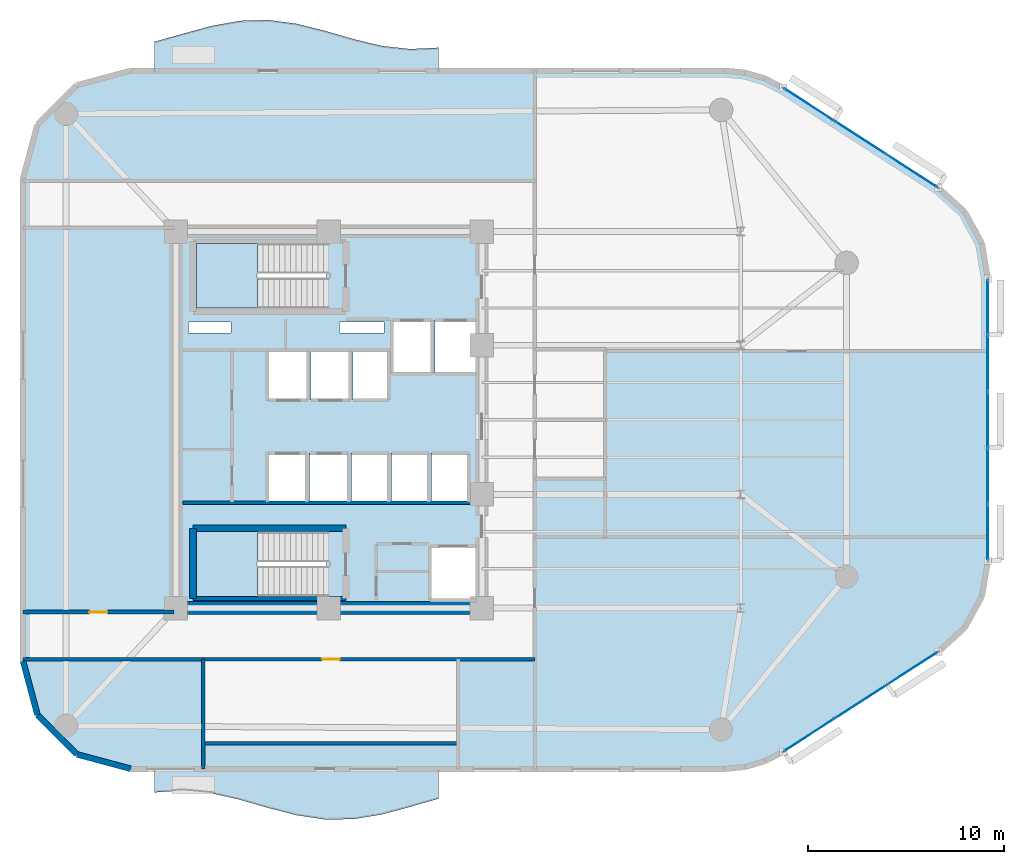
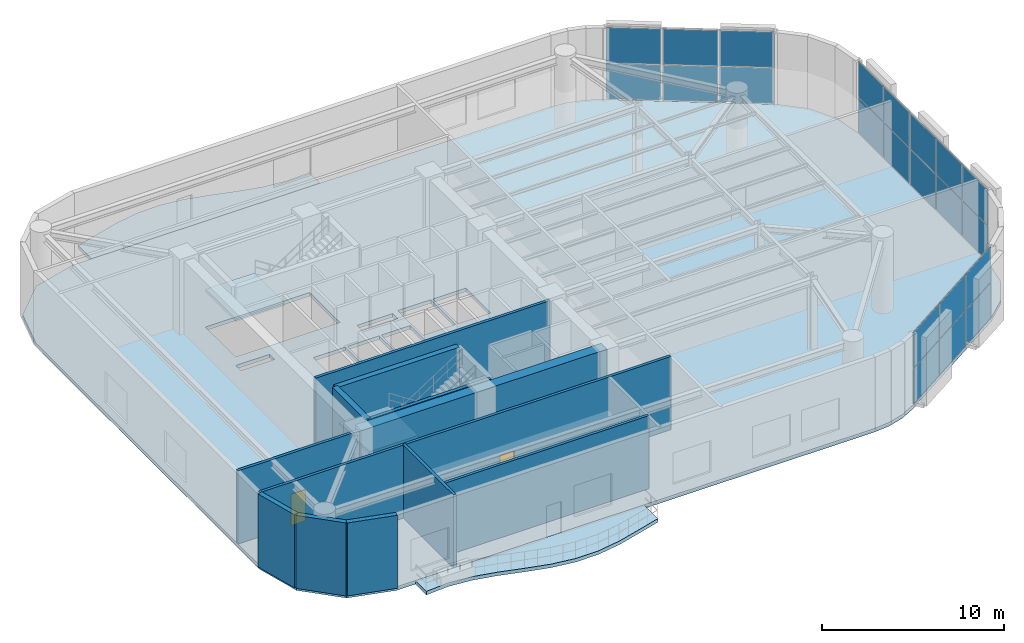
# One storey, part 7 of 12: 22 plates, 12 walls, 5 slabs, 2 doors, 2 openings, 5 elements without a shape of their own.
"""IFC4 building model written with IfcOpenShell, lengths in metres."""

import ifcopenshell
import ifcopenshell.guid

model = None  # the IFC model being written
_history = None  # IfcOwnerHistory: only IFC2X3 demands one
_inside = {}  # id of a spatial element -> (the spatial element, [elements in it])
_under = {}  # id of a project, library or spatial element -> (it, [spatial elements below it])
_declared = {}  # id of a project -> (the project, [libraries it declares])
_typed = {}  # id of a type object -> (the type object, [elements of that type])
_made_of = {}  # id of a material, layer set ... -> (it, [elements and type objects made of it])


def new_model(schema):
    """Start an empty IFC model of exactly this schema.

    Asked for "IFC4X3", IfcOpenShell would pick the latest addendum, in which some entities
    have other attributes; the version numbers below select the first issue.
    IFC2X3 requires an IfcOwnerHistory on every rooted entity: one is made here for all.
    """
    global model, _history
    if schema == "IFC4X3":
        model = ifcopenshell.file(schema_version=(4, 3, 0, 0))
    else:
        model = ifcopenshell.file(schema=schema)
    _inside.clear()
    _under.clear()
    _declared.clear()
    _typed.clear()
    _made_of.clear()
    _history = None
    if model.schema == "IFC2X3":
        org = make("IfcOrganization", Name="unknown")
        user = make(
            "IfcPersonAndOrganization",
            ThePerson=make("IfcPerson", FamilyName="unknown"),
            TheOrganization=org,
        )
        app = make(
            "IfcApplication",
            ApplicationDeveloper=org,
            Version="unknown",
            ApplicationFullName="unknown",
            ApplicationIdentifier="unknown",
        )
        _history = make(
            "IfcOwnerHistory",
            OwningUser=user,
            OwningApplication=app,
            ChangeAction="ADDED",
            CreationDate=0,
        )
    return model


def make(cls, **values):
    """One entity of the class cls with the attributes given. An attribute that is None is left unset."""
    return model.create_entity(
        cls, **{name: value for name, value in values.items() if value is not None}
    )


def rooted(cls, **values):
    """An entity with a GlobalId (a new one), such as an element, a storey or a relation."""
    return make(cls, GlobalId=ifcopenshell.guid.new(), OwnerHistory=_history, **values)


def si_unit(unit_type, name, prefix=None):
    """IfcSIUnit, for example si_unit("LENGTHUNIT", "METRE", prefix="MILLI")."""
    return make("IfcSIUnit", UnitType=unit_type, Prefix=prefix, Name=name)


def assignment(units):
    """IfcUnitAssignment: the units of a project."""
    return None if units is None else make("IfcUnitAssignment", Units=units)


def point(xyz):
    """IfcCartesianPoint."""
    return None if xyz is None else make("IfcCartesianPoint", Coordinates=xyz)


def direction(xyz):
    """IfcDirection."""
    return None if xyz is None else make("IfcDirection", DirectionRatios=xyz)


def frame(location, z_axis=None, x_axis=None):
    """IfcAxis2Placement3D, a coordinate frame: its origin and axes. An axis left out is left unset."""
    return make(
        "IfcAxis2Placement3D",
        Location=point(location),
        Axis=direction(z_axis),
        RefDirection=direction(x_axis),
    )


def frame_2d(location, x_axis=None):
    """IfcAxis2Placement2D, a coordinate frame in the plane: its origin and x axis."""
    return make(
        "IfcAxis2Placement2D", Location=point(location), RefDirection=direction(x_axis)
    )


def origin():
    """The frame at (0, 0, 0) with its axes left unset."""
    return frame((0.0, 0.0, 0.0))


def origin_2d():
    """The frame at (0, 0) in the plane with its x axis left unset."""
    return frame_2d((0.0, 0.0))


def place(relative_to, where):
    """IfcLocalPlacement: puts the frame where relative to a parent placement (None: the world)."""
    return make(
        "IfcLocalPlacement", PlacementRelTo=relative_to, RelativePlacement=where
    )


def context(
    kind, dimensions, precision=None, world=None, true_north=None, identifier=None
):
    """IfcGeometricRepresentationContext, for example the 3D "Model" context."""
    return make(
        "IfcGeometricRepresentationContext",
        ContextIdentifier=identifier,
        ContextType=kind,
        CoordinateSpaceDimension=dimensions,
        Precision=precision,
        WorldCoordinateSystem=world,
        TrueNorth=true_north,
    )


def subcontext(parent, identifier, kind, view, scale=None):
    """IfcGeometricRepresentationSubContext, for example "Body" below "Model"."""
    return make(
        "IfcGeometricRepresentationSubContext",
        ContextIdentifier=identifier,
        ContextType=kind,
        ParentContext=parent,
        TargetScale=scale,
        TargetView=view,
    )


def project(units=None, contexts=None):
    """IfcProject with its units and contexts."""
    return rooted(
        "IfcProject",
        Name="project",
        RepresentationContexts=contexts,
        UnitsInContext=assignment(units),
    )


def spatial(cls, under=None, at=None, **own):
    """A site, building, storey or space (cls), placed at a placement, below another one or the project."""
    s = rooted(cls, ObjectPlacement=at, **own)
    if under is not None:
        _under.setdefault(under.id(), (under, []))[1].append(s)
    return s


def polyline(points):
    """IfcPolyline through the points."""
    return make("IfcPolyline", Points=[point(p) for p in points])


def profile(cls, at=None, kind="AREA", **sizes):
    """A parametric profile (cls). Its sizes go by their IFC names, for example OverallWidth=200.0."""
    return make(cls, ProfileType=kind, Position=at, **sizes)


def rectangle(**sizes):
    """IfcRectangleProfileDef."""
    return profile("IfcRectangleProfileDef", **sizes)


def outline(outer, holes=None, kind="AREA"):
    """IfcArbitraryClosedProfileDef: a profile drawn as a closed curve; with holes, ...WithVoids."""
    if holes is None:
        return make("IfcArbitraryClosedProfileDef", ProfileType=kind, OuterCurve=outer)
    return make(
        "IfcArbitraryProfileDefWithVoids",
        ProfileType=kind,
        OuterCurve=outer,
        InnerCurves=holes,
    )


def extrude(swept, where, along, depth):
    """IfcExtrudedAreaSolid: the profile swept, set in the frame where, extruded along a direction by depth."""
    return make(
        "IfcExtrudedAreaSolid",
        SweptArea=swept,
        Position=where,
        ExtrudedDirection=direction(along),
        Depth=depth,
    )


def shape(context_of_items, identifier, shape_type, items):
    """IfcShapeRepresentation: the items that make up one representation, for example the "Body"."""
    return make(
        "IfcShapeRepresentation",
        ContextOfItems=context_of_items,
        RepresentationIdentifier=identifier,
        RepresentationType=shape_type,
        Items=items,
    )


def material(Name=None, Category=None):
    """IfcMaterial."""
    return make("IfcMaterial", Name=Name, Category=Category)


def layer(
    of_material, thickness, ventilated=None, Name=None, Category=None, Priority=None
):
    """IfcMaterialLayer: one layer of a wall or slab, of a material (None: an air gap)."""
    return make(
        "IfcMaterialLayer",
        Material=of_material,
        LayerThickness=thickness,
        IsVentilated=ventilated,
        Name=Name,
        Category=Category,
        Priority=Priority,
    )


def layer_set(layers, Name=None):
    """IfcMaterialLayerSet."""
    return make("IfcMaterialLayerSet", MaterialLayers=layers, LayerSetName=Name)


def made_of(thing, what):
    """Note that an element or type object is made of a material, layer set ...; save() writes the relation."""
    if what is not None:
        _made_of.setdefault(what.id(), (what, []))[1].append(thing)
    return thing


def type_object(cls, material=None, **own):
    """A type object (cls), such as IfcWallType, which elements share."""
    return made_of(rooted(cls, **own), material)


def element(
    cls,
    number,
    at=None,
    inside=None,
    cuts=None,
    type_object=None,
    material=None,
    context=None,
    identifier="Body",
    shape_type=None,
    held_by="IfcProductDefinitionShape",
    body=None,
    shapes=None,
    **own,
):
    """One element of the class cls, such as IfcWall. Its Tag is "e" and its number.

    at: its placement. inside: the storey or other place that contains it. cuts: it is an
    opening in that element (IfcRelVoidsElement). A single representation is given by context,
    identifier, shape_type and body (its items); several are given by shapes. held_by: the class
    of the entity that holds the representations. save() writes the other relations.
    """
    e = rooted(cls, Tag="e%d" % number, ObjectPlacement=at, **own)
    if body is not None:
        shapes = [shape(context, identifier, shape_type, body)]
    if shapes is not None:
        e.Representation = make(held_by, Representations=shapes)
    if inside is not None:
        _inside.setdefault(inside.id(), (inside, []))[1].append(e)
    if cuts is not None:
        rooted(
            "IfcRelVoidsElement", RelatingBuildingElement=cuts, RelatedOpeningElement=e
        )
    if type_object is not None:
        _typed.setdefault(type_object.id(), (type_object, []))[1].append(e)
    return made_of(e, material)


def fill(opening, filler):
    """IfcRelFillsElement: the door or window that sits in an opening."""
    return rooted(
        "IfcRelFillsElement",
        RelatingOpeningElement=opening,
        RelatedBuildingElement=filler,
    )


def aggregate(whole, parts):
    """IfcRelAggregates: a whole, such as a stair, and the parts it consists of."""
    return rooted("IfcRelAggregates", RelatingObject=whole, RelatedObjects=parts)


def save(model, path):
    """Write the relations noted so far, then the file.

    IfcRelAggregates (storeys below a building ...), IfcRelContainedInSpatialStructure (elements
    in a storey), IfcRelDefinesByType, IfcRelAssociatesMaterial and IfcRelDeclares: one each for
    every whole, place, type object, material and project.
    """
    for whole, parts in _under.values():
        aggregate(whole, parts)
    for where, things in _inside.values():
        rooted(
            "IfcRelContainedInSpatialStructure",
            RelatedElements=things,
            RelatingStructure=where,
        )
    for kind, things in _typed.values():
        rooted("IfcRelDefinesByType", RelatedObjects=things, RelatingType=kind)
    for what, things in _made_of.values():
        rooted("IfcRelAssociatesMaterial", RelatedObjects=things, RelatingMaterial=what)
    for by, libraries in _declared.values():
        rooted("IfcRelDeclares", RelatingContext=by, RelatedDefinitions=libraries)
    model.write(path)


model = new_model("IFC4")

# Units and contexts
model_context = context("Model", 3, precision=1e-05, world=origin(), true_north=direction((0.0, 1.0)))
body_context = subcontext(model_context, "Body", "Model", "MODEL_VIEW")
ifc_project = project(units=[si_unit("LENGTHUNIT", "METRE"), si_unit("AREAUNIT", "SQUARE_METRE"), si_unit("VOLUMEUNIT", "CUBIC_METRE"), si_unit("PLANEANGLEUNIT", "RADIAN"), si_unit("MASSUNIT", "GRAM", prefix="KILO")], contexts=[model_context])

# Site, building, storey
site_placement = place(None, origin())
site = spatial("IfcSite", under=ifc_project, at=site_placement, CompositionType="ELEMENT")
building_placement = place(site_placement, origin())
building = spatial("IfcBuilding", under=site, at=building_placement, Name="An Khanh Terracotta Commons", CompositionType="ELEMENT")
storey_placement = place(building_placement, frame((0.0, 0.0, 138.699951171875)))
storey = spatial("IfcBuildingStorey", under=building, at=storey_placement, Name="L36", CompositionType="ELEMENT", Elevation=138.699951171875)

# Curtain wall, plates
ifc_material_1 = material(Name="Anodised Aluminium 6063-T6", Category="aluminium")
ifc_layer_1 = layer(ifc_material_1, 0.239990234375, Name="Anodised Aluminium 6063-T6")
ifc_layer_set_1 = layer_set([ifc_layer_1], Name="Anodised Aluminium 6063-T6")
curtain_wall_type = type_object("IfcCurtainWallType", Name="CW-SYS-04", PredefinedType="USERDEFINED", material=ifc_layer_set_1)
curtain_wall_1_placement = place(storey_placement, origin())
curtain_wall_1 = element("IfcCurtainWall", 1, at=curtain_wall_1_placement, inside=storey, type_object=curtain_wall_type, Name="L36 CW-04 Unitised Curtain Wall CW-L36-08", ObjectType="UNITISED CURTAIN WALL", PredefinedType="USERDEFINED")
ifc_material_2 = material(Name="Triple-Silver Sky-Lobby Glazing", Category="glass")
ifc_layer_2 = layer(ifc_material_2, 0.0400390625, Name="Triple-Silver Sky-Lobby Glazing")
ifc_layer_set_2 = layer_set([ifc_layer_2], Name="Triple-Silver Sky-Lobby Glazing")
plate_type = type_object("IfcPlateType", Name="CWP-IGU-40", PredefinedType="CURTAIN_PANEL", material=ifc_layer_set_2)
plate_1_placement = place(storey_placement, frame((53.896484375, 7.936767578125, 0.06005859375), z_axis=(0.0, 0.0, 1.0), x_axis=(0.840702081986, 0.541497931062, 0.0)))
plate_1 = element("IfcPlate", 2, at=plate_1_placement, type_object=plate_type, Name="CW-04 panel 1.1", PredefinedType="CURTAIN_PANEL", context=body_context, shape_type="SweptSolid", body=[
    extrude(rectangle(XDim=3.01953125, YDim=0.0400390625, at=origin_2d()), origin(), (0.0, 0.0, 1.0), 2.360107421875),
])
plate_2_placement = place(storey_placement, frame((53.896484375, 7.936767578125, 2.47998046875), z_axis=(0.0, 0.0, 1.0), x_axis=(0.840702081986, 0.541497931062, 0.0)))
plate_2 = element("IfcPlate", 3, at=plate_2_placement, type_object=plate_type, Name="CW-04 panel 1.2", PredefinedType="CURTAIN_PANEL", context=body_context, shape_type="SweptSolid", body=[
    extrude(rectangle(XDim=3.01953125, YDim=0.0400390625, at=origin_2d()), origin(), (0.0, 0.0, 1.0), 2.360107421875),
])
plate_3_placement = place(storey_placement, frame((56.51904296875, 9.6259765625, 0.06005859375), z_axis=(0.0, 0.0, 1.0), x_axis=(0.840702081986, 0.541497931062, 0.0)))
plate_3 = element("IfcPlate", 4, at=plate_3_placement, type_object=plate_type, Name="CW-04 panel 2.1", PredefinedType="CURTAIN_PANEL", context=body_context, shape_type="SweptSolid", body=[
    extrude(rectangle(XDim=3.059326171875, YDim=0.0400390625, at=origin_2d()), origin(), (0.0, 0.0, 1.0), 2.360107421875),
])
plate_4_placement = place(storey_placement, frame((56.51904296875, 9.6259765625, 2.47998046875), z_axis=(0.0, 0.0, 1.0), x_axis=(0.840702081986, 0.541497931062, 0.0)))
plate_4 = element("IfcPlate", 5, at=plate_4_placement, type_object=plate_type, Name="CW-04 panel 2.2", PredefinedType="CURTAIN_PANEL", context=body_context, shape_type="SweptSolid", body=[
    extrude(rectangle(XDim=3.059326171875, YDim=0.0400390625, at=origin_2d()), origin(), (0.0, 0.0, 1.0), 2.360107421875),
])
plate_5_placement = place(storey_placement, frame((59.1416015625, 11.315185546875, 0.06005859375), z_axis=(0.0, 0.0, 1.0), x_axis=(0.840702081986, 0.541497931062, 0.0)))
plate_5 = element("IfcPlate", 6, at=plate_5_placement, type_object=plate_type, Name="CW-04 panel 3.1", PredefinedType="CURTAIN_PANEL", context=body_context, shape_type="SweptSolid", body=[
    extrude(rectangle(XDim=3.01953125, YDim=0.0400390625, at=origin_2d()), origin(), (0.0, 0.0, 1.0), 2.360107421875),
])
plate_6_placement = place(storey_placement, frame((59.1416015625, 11.315185546875, 2.47998046875), z_axis=(0.0, 0.0, 1.0), x_axis=(0.840702081986, 0.541497931062, 0.0)))
plate_6 = element("IfcPlate", 7, at=plate_6_placement, type_object=plate_type, Name="CW-04 panel 3.2", PredefinedType="CURTAIN_PANEL", context=body_context, shape_type="SweptSolid", body=[
    extrude(rectangle(XDim=3.01953125, YDim=0.0400390625, at=origin_2d()), origin(), (0.0, 0.0, 1.0), 2.360107421875),
])
aggregate(curtain_wall_1, [plate_1, plate_2, plate_3, plate_4, plate_5, plate_6])

curtain_wall_2_placement = place(storey_placement, origin())
curtain_wall_2 = element("IfcCurtainWall", 8, at=curtain_wall_2_placement, inside=storey, type_object=curtain_wall_type, Name="L36 CW-04 Unitised Curtain Wall CW-L36-12", ObjectType="UNITISED CURTAIN WALL", PredefinedType="USERDEFINED")
plate_7_placement = place(storey_placement, frame((63.0, 18.260009765625, 0.06005859375), z_axis=(0.0, 0.0, 1.0), x_axis=(0.0, 1.0, 0.0)))
plate_7 = element("IfcPlate", 9, at=plate_7_placement, type_object=plate_type, Name="CW-04 panel 1.1", PredefinedType="CURTAIN_PANEL", context=body_context, shape_type="SweptSolid", body=[
    extrude(rectangle(XDim=2.760009765625, YDim=0.0400390625, at=origin_2d()), origin(), (0.0, 0.0, 1.0), 2.360107421875),
])
plate_8_placement = place(storey_placement, frame((63.0, 18.260009765625, 2.47998046875), z_axis=(0.0, 0.0, 1.0), x_axis=(0.0, 1.0, 0.0)))
plate_8 = element("IfcPlate", 10, at=plate_8_placement, type_object=plate_type, Name="CW-04 panel 1.2", PredefinedType="CURTAIN_PANEL", context=body_context, shape_type="SweptSolid", body=[
    extrude(rectangle(XDim=2.760009765625, YDim=0.0400390625, at=origin_2d()), origin(), (0.0, 0.0, 1.0), 2.360107421875),
])
plate_9_placement = place(storey_placement, frame((63.0, 21.1201171875, 0.06005859375), z_axis=(0.0, 0.0, 1.0), x_axis=(0.0, 1.0, 0.0)))
plate_9 = element("IfcPlate", 11, at=plate_9_placement, type_object=plate_type, Name="CW-04 panel 2.1", PredefinedType="CURTAIN_PANEL", context=body_context, shape_type="SweptSolid", body=[
    extrude(rectangle(XDim=2.800048828125, YDim=0.0400390625, at=origin_2d()), origin(), (0.0, 0.0, 1.0), 2.360107421875),
])
plate_10_placement = place(storey_placement, frame((63.0, 21.1201171875, 2.47998046875), z_axis=(0.0, 0.0, 1.0), x_axis=(0.0, 1.0, 0.0)))
plate_10 = element("IfcPlate", 12, at=plate_10_placement, type_object=plate_type, Name="CW-04 panel 2.2", PredefinedType="CURTAIN_PANEL", context=body_context, shape_type="SweptSolid", body=[
    extrude(rectangle(XDim=2.800048828125, YDim=0.0400390625, at=origin_2d()), origin(), (0.0, 0.0, 1.0), 2.360107421875),
])
plate_11_placement = place(storey_placement, frame((63.0, 24.0, 0.06005859375), z_axis=(0.0, 0.0, 1.0), x_axis=(0.0, 1.0, 0.0)))
plate_11 = element("IfcPlate", 13, at=plate_11_placement, type_object=plate_type, Name="CW-04 panel 3.1", PredefinedType="CURTAIN_PANEL", context=body_context, shape_type="SweptSolid", body=[
    extrude(rectangle(XDim=2.800048828125, YDim=0.0400390625, at=origin_2d()), origin(), (0.0, 0.0, 1.0), 2.360107421875),
])
plate_12_placement = place(storey_placement, frame((63.0, 24.0, 2.47998046875), z_axis=(0.0, 0.0, 1.0), x_axis=(0.0, 1.0, 0.0)))
plate_12 = element("IfcPlate", 14, at=plate_12_placement, type_object=plate_type, Name="CW-04 panel 3.2", PredefinedType="CURTAIN_PANEL", context=body_context, shape_type="SweptSolid", body=[
    extrude(rectangle(XDim=2.800048828125, YDim=0.0400390625, at=origin_2d()), origin(), (0.0, 0.0, 1.0), 2.360107421875),
])
plate_13_placement = place(storey_placement, frame((63.0, 26.8798828125, 0.06005859375), z_axis=(0.0, 0.0, 1.0), x_axis=(0.0, 1.0, 0.0)))
plate_13 = element("IfcPlate", 15, at=plate_13_placement, type_object=plate_type, Name="CW-04 panel 4.1", PredefinedType="CURTAIN_PANEL", context=body_context, shape_type="SweptSolid", body=[
    extrude(rectangle(XDim=2.800048828125, YDim=0.0400390625, at=origin_2d()), origin(), (0.0, 0.0, 1.0), 2.360107421875),
])
plate_14_placement = place(storey_placement, frame((63.0, 26.8798828125, 2.47998046875), z_axis=(0.0, 0.0, 1.0), x_axis=(0.0, 1.0, 0.0)))
plate_14 = element("IfcPlate", 16, at=plate_14_placement, type_object=plate_type, Name="CW-04 panel 4.2", PredefinedType="CURTAIN_PANEL", context=body_context, shape_type="SweptSolid", body=[
    extrude(rectangle(XDim=2.800048828125, YDim=0.0400390625, at=origin_2d()), origin(), (0.0, 0.0, 1.0), 2.360107421875),
])
plate_15_placement = place(storey_placement, frame((63.0, 29.739990234375, 0.06005859375), z_axis=(0.0, 0.0, 1.0), x_axis=(0.0, 1.0, 0.0)))
plate_15 = element("IfcPlate", 17, at=plate_15_placement, type_object=plate_type, Name="CW-04 panel 5.1", PredefinedType="CURTAIN_PANEL", context=body_context, shape_type="SweptSolid", body=[
    extrude(rectangle(XDim=2.760009765625, YDim=0.0400390625, at=origin_2d()), origin(), (0.0, 0.0, 1.0), 2.360107421875),
])
plate_16_placement = place(storey_placement, frame((63.0, 29.739990234375, 2.47998046875), z_axis=(0.0, 0.0, 1.0), x_axis=(0.0, 1.0, 0.0)))
plate_16 = element("IfcPlate", 18, at=plate_16_placement, type_object=plate_type, Name="CW-04 panel 5.2", PredefinedType="CURTAIN_PANEL", context=body_context, shape_type="SweptSolid", body=[
    extrude(rectangle(XDim=2.760009765625, YDim=0.0400390625, at=origin_2d()), origin(), (0.0, 0.0, 1.0), 2.360107421875),
])
aggregate(curtain_wall_2, [plate_7, plate_8, plate_9, plate_10, plate_11, plate_12, plate_13, plate_14, plate_15, plate_16])

curtain_wall_3_placement = place(storey_placement, origin())
curtain_wall_3 = element("IfcCurtainWall", 19, at=curtain_wall_3_placement, inside=storey, type_object=curtain_wall_type, Name="L36 CW-04 Unitised Curtain Wall CW-L36-16", ObjectType="UNITISED CURTAIN WALL", PredefinedType="USERDEFINED")
plate_17_placement = place(storey_placement, frame((59.1416015625, 36.684814453125, 0.06005859375), z_axis=(0.0, 0.0, 1.0), x_axis=(-0.840702081986, 0.541497931062, 0.0)))
plate_17 = element("IfcPlate", 20, at=plate_17_placement, type_object=plate_type, Name="CW-04 panel 1.1", PredefinedType="CURTAIN_PANEL", context=body_context, shape_type="SweptSolid", body=[
    extrude(rectangle(XDim=3.01953125, YDim=0.0400390625, at=origin_2d()), origin(), (0.0, 0.0, 1.0), 2.360107421875),
])
plate_18_placement = place(storey_placement, frame((59.1416015625, 36.684814453125, 2.47998046875), z_axis=(0.0, 0.0, 1.0), x_axis=(-0.840702081986, 0.541497931062, 0.0)))
plate_18 = element("IfcPlate", 21, at=plate_18_placement, type_object=plate_type, Name="CW-04 panel 1.2", PredefinedType="CURTAIN_PANEL", context=body_context, shape_type="SweptSolid", body=[
    extrude(rectangle(XDim=3.01953125, YDim=0.0400390625, at=origin_2d()), origin(), (0.0, 0.0, 1.0), 2.360107421875),
])
plate_19_placement = place(storey_placement, frame((56.51904296875, 38.3740234375, 0.06005859375), z_axis=(0.0, 0.0, 1.0), x_axis=(-0.840702081986, 0.541497931062, 0.0)))
plate_19 = element("IfcPlate", 22, at=plate_19_placement, type_object=plate_type, Name="CW-04 panel 2.1", PredefinedType="CURTAIN_PANEL", context=body_context, shape_type="SweptSolid", body=[
    extrude(rectangle(XDim=3.059326171875, YDim=0.0400390625, at=origin_2d()), origin(), (0.0, 0.0, 1.0), 2.360107421875),
])
plate_20_placement = place(storey_placement, frame((56.51904296875, 38.3740234375, 2.47998046875), z_axis=(0.0, 0.0, 1.0), x_axis=(-0.840702081986, 0.541497931062, 0.0)))
plate_20 = element("IfcPlate", 23, at=plate_20_placement, type_object=plate_type, Name="CW-04 panel 2.2", PredefinedType="CURTAIN_PANEL", context=body_context, shape_type="SweptSolid", body=[
    extrude(rectangle(XDim=3.059326171875, YDim=0.0400390625, at=origin_2d()), origin(), (0.0, 0.0, 1.0), 2.360107421875),
])
plate_21_placement = place(storey_placement, frame((53.896484375, 40.063232421875, 0.06005859375), z_axis=(0.0, 0.0, 1.0), x_axis=(-0.840702081986, 0.541497931062, 0.0)))
plate_21 = element("IfcPlate", 24, at=plate_21_placement, type_object=plate_type, Name="CW-04 panel 3.1", PredefinedType="CURTAIN_PANEL", context=body_context, shape_type="SweptSolid", body=[
    extrude(rectangle(XDim=3.01953125, YDim=0.0400390625, at=origin_2d()), origin(), (0.0, 0.0, 1.0), 2.360107421875),
])
plate_22_placement = place(storey_placement, frame((53.896484375, 40.063232421875, 2.47998046875), z_axis=(0.0, 0.0, 1.0), x_axis=(-0.840702081986, 0.541497931062, 0.0)))
plate_22 = element("IfcPlate", 25, at=plate_22_placement, type_object=plate_type, Name="CW-04 panel 3.2", PredefinedType="CURTAIN_PANEL", context=body_context, shape_type="SweptSolid", body=[
    extrude(rectangle(XDim=3.01953125, YDim=0.0400390625, at=origin_2d()), origin(), (0.0, 0.0, 1.0), 2.360107421875),
])
aggregate(curtain_wall_3, [plate_17, plate_18, plate_19, plate_20, plate_21, plate_22])

# Slabs
ifc_material_3 = material(Name="Concrete C40/50", Category="concrete")
ifc_layer_3 = layer(ifc_material_3, 0.239990234375, Name="Concrete C40/50")
ifc_layer_set_3 = layer_set([ifc_layer_3], Name="Concrete C40/50")
slab_type_1 = type_object("IfcSlabType", Name="SLAB-BALC-240", PredefinedType="FLOOR", material=ifc_layer_set_3)
slab_1_placement = place(storey_placement, frame((0.0, 0.0, -0.239990234375)))
element("IfcSlab", 26, at=slab_1_placement, inside=storey, type_object=slab_type_1, Name="L36 S Sinusoidal Wave Balcony Slab", PredefinedType="FLOOR", context=body_context, shape_type="SweptSolid", body=[
    extrude(outline(polyline([(20.5, 6.199951171875), (20.5, 5.0), (21.949951171875, 5.09912109375), (23.39990234375, 4.9619140625), (24.85009765625, 4.632080078125), (26.300048828125, 4.212890625), (27.75, 3.8369140625), (29.199951171875, 3.623046875), (30.64990234375, 3.637939453125), (32.10009765625, 3.8779296875), (33.550048828125, 4.26708984375), (35.0, 4.681884765625), (35.0, 6.199951171875), (20.5, 6.199951171875)])), origin(), (0.0, 0.0, 1.0), 0.239990234375),
])
slab_2_placement = place(storey_placement, frame((0.0, 0.0, -0.239990234375)))
element("IfcSlab", 27, at=slab_2_placement, inside=storey, type_object=slab_type_1, Name="L36 N Sinusoidal Wave Balcony Slab", PredefinedType="FLOOR", context=body_context, shape_type="SweptSolid", body=[
    extrude(outline(polyline([(35.0, 41.800048828125), (35.0, 42.97705078125), (33.550048828125, 42.905029296875), (32.10009765625, 43.06689453125), (30.64990234375, 43.4140625), (29.199951171875, 43.8349609375), (27.75, 44.197021484375), (26.300048828125, 44.386962890625), (24.85009765625, 44.344970703125), (23.39990234375, 44.0830078125), (21.949951171875, 43.68408203125), (20.5, 43.27490234375), (20.5, 41.800048828125), (35.0, 41.800048828125)])), origin(), (0.0, 0.0, 1.0), 0.239990234375),
])

# Stair, slab
ifc_material_4 = material(Name="Precast concrete C40/50", Category="concrete")
stair_type = type_object("IfcStairType", Name="STAIR-CORE-1550", PredefinedType="HALF_TURN_STAIR", material=ifc_material_4)
stair_1_placement = place(storey_placement, origin())
stair_1 = element("IfcStair", 28, at=stair_1_placement, inside=storey, type_object=stair_type, Name="L36 Core Smokeproof Exit Stair ST-01", PredefinedType="HALF_TURN_STAIR")
ifc_layer_4 = layer(ifc_material_3, 0.18994140625, Name="Concrete C40/50")
ifc_layer_set_4 = layer_set([ifc_layer_4], Name="Concrete C40/50")
slab_type_2 = type_object("IfcSlabType", Name="SLAB-LANDING-190", PredefinedType="LANDING", material=ifc_layer_set_4)
slab_3_placement = place(storey_placement, frame((0.0, 0.0, 2.35009765625)))
slab_3 = element("IfcSlab", 29, at=slab_3_placement, type_object=slab_type_2, Name="ST-01 landing 1", PredefinedType="LANDING", context=body_context, shape_type="SweptSolid", body=[
    extrude(outline(polyline([(25.77001953125, 33.0), (22.64990234375, 33.0), (22.64990234375, 29.699951171875), (25.77001953125, 29.699951171875), (25.77001953125, 33.0)])), origin(), (0.0, 0.0, 1.0), 0.199951171875),
])
aggregate(stair_1, [slab_3])

stair_2_placement = place(storey_placement, origin())
stair_2 = element("IfcStair", 30, at=stair_2_placement, inside=storey, type_object=stair_type, Name="L36 Core Smokeproof Exit Stair ST-02", PredefinedType="HALF_TURN_STAIR")
slab_4_placement = place(storey_placement, frame((0.0, 0.0, 2.35009765625)))
slab_4 = element("IfcSlab", 31, at=slab_4_placement, type_object=slab_type_2, Name="ST-02 landing 1", PredefinedType="LANDING", context=body_context, shape_type="SweptSolid", body=[
    extrude(outline(polyline([(25.77001953125, 18.300048828125), (22.64990234375, 18.300048828125), (22.64990234375, 15.0), (25.77001953125, 15.0), (25.77001953125, 18.300048828125)])), origin(), (0.0, 0.0, 1.0), 0.199951171875),
])
aggregate(stair_2, [slab_4])

# Slab
ifc_layer_5 = layer(ifc_material_3, 0.239990234375, Name="Concrete C40/50")
ifc_layer_set_5 = layer_set([ifc_layer_5], Name="Concrete C40/50")
slab_type_3 = type_object("IfcSlabType", Name="SLAB-SKY-240", PredefinedType="FLOOR", material=ifc_layer_set_5)
slab_5_placement = place(storey_placement, frame((0.0, 0.0, -0.239990234375)))
element("IfcSlab", 32, at=slab_5_placement, inside=storey, type_object=slab_type_3, Name="L36 Structural Floor Slab", PredefinedType="FLOOR", context=body_context, shape_type="SweptSolid", body=[
    extrude(outline(polyline([(13.800048828125, 11.699951171875), (14.537109375, 8.949951171875), (16.550048828125, 6.93701171875), (19.300048828125, 6.199951171875), (49.58203125, 6.199951171875), (50.625, 6.300048828125), (51.6298828125, 6.594970703125), (52.56005859375, 7.075927734375), (60.47802734375, 12.176025390625), (61.825927734375, 13.403076171875), (62.697998046875, 15.0029296875), (63.0, 16.800048828125), (63.0, 31.199951171875), (62.697998046875, 32.9970703125), (61.825927734375, 34.596923828125), (60.47802734375, 35.823974609375), (52.56005859375, 40.924072265625), (51.6298828125, 41.405029296875), (50.625, 41.699951171875), (49.58203125, 41.800048828125), (19.300048828125, 41.800048828125), (16.550048828125, 41.06298828125), (14.537109375, 39.050048828125), (13.800048828125, 36.300048828125), (13.800048828125, 11.699951171875)]), holes=[polyline([(22.64990234375, 29.699951171875), (29.27001953125, 29.699951171875), (29.27001953125, 33.0), (22.64990234375, 33.0), (22.64990234375, 29.699951171875)]), polyline([(22.64990234375, 15.0), (29.27001953125, 15.0), (29.27001953125, 18.300048828125), (22.64990234375, 18.300048828125), (22.64990234375, 15.0)]), polyline([(32.60009765625, 26.35009765625), (34.679931640625, 26.35009765625), (34.679931640625, 29.080078125), (32.60009765625, 29.080078125), (32.60009765625, 26.35009765625)]), polyline([(34.820068359375, 26.35009765625), (36.89990234375, 26.35009765625), (36.89990234375, 29.080078125), (34.820068359375, 29.080078125), (34.820068359375, 26.35009765625)]), polyline([(34.550048828125, 14.800048828125), (36.89990234375, 14.800048828125), (36.89990234375, 17.550048828125), (34.550048828125, 17.550048828125), (34.550048828125, 14.800048828125)]), polyline([(26.320068359375, 25.0), (28.340087890625, 25.0), (28.340087890625, 27.5), (26.320068359375, 27.5), (26.320068359375, 25.0)]), polyline([(28.47998046875, 25.0), (30.5, 25.0), (30.5, 27.5), (28.47998046875, 27.5), (28.47998046875, 25.0)]), polyline([(26.280029296875, 19.800048828125), (28.280029296875, 19.800048828125), (28.280029296875, 22.300048828125), (26.280029296875, 22.300048828125), (26.280029296875, 19.800048828125)]), polyline([(28.419921875, 19.800048828125), (30.419921875, 19.800048828125), (30.419921875, 22.300048828125), (28.419921875, 22.300048828125), (28.419921875, 19.800048828125)]), polyline([(30.639892578125, 25.0), (32.4599609375, 25.0), (32.4599609375, 27.5), (30.639892578125, 27.5), (30.639892578125, 25.0)]), polyline([(30.56005859375, 19.800048828125), (32.4599609375, 19.800048828125), (32.4599609375, 22.300048828125), (30.56005859375, 22.300048828125), (30.56005859375, 19.800048828125)]), polyline([(32.60009765625, 19.800048828125), (34.5, 19.800048828125), (34.5, 22.300048828125), (32.60009765625, 22.300048828125), (32.60009765625, 19.800048828125)]), polyline([(34.639892578125, 19.800048828125), (36.5400390625, 19.800048828125), (36.5400390625, 22.300048828125), (34.639892578125, 22.300048828125), (34.639892578125, 19.800048828125)]), polyline([(22.25, 28.419921875), (24.39990234375, 28.419921875), (24.39990234375, 28.97998046875), (22.25, 28.97998046875), (22.25, 28.419921875)]), polyline([(29.949951171875, 28.419921875), (32.199951171875, 28.419921875), (32.199951171875, 28.97998046875), (29.949951171875, 28.97998046875), (29.949951171875, 28.419921875)])]), origin(), (0.0, 0.0, 1.0), 0.239990234375),
])

# Walls
ifc_material_5 = material(Name="Concrete C60/75", Category="concrete")
ifc_layer_6 = layer(ifc_material_5, 0.64990234375, Name="Concrete C60/75")
ifc_layer_set_6 = layer_set([ifc_layer_6], Name="Concrete C60/75")
wall_type_1 = type_object("IfcWallType", Name="WALL-CORE-650", PredefinedType="SHEAR", material=ifc_layer_set_6)
wall_1_placement = place(storey_placement, frame((37.199951171875, 14.39990234375, 0.0), z_axis=(0.0, 0.0, 1.0), x_axis=(-1.0, 0.0, 0.0)))
element("IfcWall", 33, at=wall_1_placement, inside=storey, type_object=wall_type_1, Name="L36 Core Wall CWALL-L36-S", PredefinedType="SHEAR", context=body_context, shape_type="SweptSolid", body=[
    extrude(rectangle(XDim=15.599853515625, YDim=0.64990234375, at=frame_2d((7.7998046875, 0.0))), origin(), (0.0, 0.0, 1.0), 4.900146484375),
])
ifc_material_6 = material(Name="Fire-Rated Gypsum Board on Steel Stud", Category="steel")
ifc_layer_7 = layer(ifc_material_6, 0.179931640625, Name="Fire-Rated Gypsum Board on Steel Stud")
ifc_layer_set_7 = layer_set([ifc_layer_7], Name="Fire-Rated Gypsum Board on Steel Stud")
wall_type_2 = type_object("IfcWallType", Name="WALL-CORR-180", PredefinedType="PARTITIONING", material=ifc_layer_set_7)
wall_2_placement = place(storey_placement, frame((21.949951171875, 19.760009765625, 0.0), z_axis=(0.0, 0.0, 1.0), x_axis=(1.0, 0.0, 0.0)))
element("IfcWall", 34, at=wall_2_placement, inside=storey, type_object=wall_type_2, Name="L36 Core Wall SVW-L36-N", PredefinedType="PARTITIONING", context=body_context, shape_type="SweptSolid", body=[
    extrude(rectangle(XDim=14.8701171875, YDim=0.179931640625, at=frame_2d((7.43505859375, 0.0))), origin(), (0.0, 0.0, 1.0), 4.900146484375),
])
wall_3_placement = place(storey_placement, frame((23.0, 7.5, 0.0), z_axis=(0.0, 0.0, 1.0), x_axis=(1.0, 0.0, 0.0)))
element("IfcWall", 35, at=wall_3_placement, inside=storey, type_object=wall_type_2, Name="L36 Interior Partition IW-L36-E001", PredefinedType="PARTITIONING", context=body_context, shape_type="SweptSolid", body=[
    extrude(rectangle(XDim=13.0, YDim=0.179931640625, at=frame_2d((6.5, 0.0))), origin(), (0.0, 0.0, 1.0), 4.900146484375),
])

# Wall, opening, door
wall_4_placement = place(storey_placement, frame((13.800048828125, 11.800048828125, 0.0), z_axis=(0.0, 0.0, 1.0), x_axis=(1.0, 0.0, 0.0)))
wall_4 = element("IfcWall", 36, at=wall_4_placement, inside=storey, type_object=wall_type_2, Name="L36 Interior Partition IW-L36-E002", PredefinedType="PARTITIONING", context=body_context, shape_type="SweptSolid", body=[
    extrude(rectangle(XDim=26.099853515625, YDim=0.179931640625, at=frame_2d((13.0498046875, 0.0))), origin(), (0.0, 0.0, 1.0), 4.900146484375),
])
opening_1_placement = place(wall_4_placement, frame((15.25, 0.0, 0.0)))
opening_1 = element("IfcOpeningElement", 37, at=opening_1_placement, cuts=wall_4, Name="Opening D-SV", PredefinedType="OPENING", context=body_context, shape_type="SweptSolid", body=[
    extrude(rectangle(XDim=0.89990234375, YDim=2.050048828125, at=frame_2d((0.449951171875, 1.02490234375))), frame((0.0, 0.099853515625, 0.0), z_axis=(0.0, -1.0, 0.0), x_axis=(1.0, 0.0, 0.0)), (0.0, 0.0, 1.0), 0.199951171875),
])
ifc_material_7 = material(Name="Fire-Rated Powder-Coated Steel Door", Category="steel")
door_type_1 = type_object("IfcDoorType", Name="DOOR-SERV-900", OperationType="NOTDEFINED", PredefinedType="DOOR", material=ifc_material_7)
door_1_placement = place(opening_1_placement, origin())
door_1 = element("IfcDoor", 38, at=door_1_placement, inside=storey, type_object=door_type_1, Name="L36 HKP Sky Lobby Pantry Store Door", OperationType="SINGLE_SWING_LEFT", OverallHeight=2.050048828125, OverallWidth=0.89990234375, PredefinedType="DOOR", context=body_context, shape_type="SweptSolid", body=[
    extrude(rectangle(XDim=0.89990234375, YDim=2.050048828125, at=frame_2d((0.449951171875, 1.02490234375))), frame((0.0, 0.02490234375, 0.0), z_axis=(0.0, -1.0, 0.0), x_axis=(1.0, 0.0, 0.0)), (0.0, 0.0, 1.0), 0.050048828125),
])
fill(opening_1, door_1)

wall_5_placement = place(storey_placement, frame((13.800048828125, 14.199951171875, 0.0), z_axis=(0.0, 0.0, 1.0), x_axis=(1.0, 0.0, 0.0)))
wall_5 = element("IfcWall", 39, at=wall_5_placement, inside=storey, type_object=wall_type_2, Name="L36 Interior Partition IW-L36-E003", PredefinedType="PARTITIONING", context=body_context, shape_type="SweptSolid", body=[
    extrude(rectangle(XDim=7.699951171875, YDim=0.179931640625, at=frame_2d((3.85009765625, 0.0))), origin(), (0.0, 0.0, 1.0), 4.900146484375),
])
opening_2_placement = place(wall_5_placement, frame((3.389892578125, 0.0, 0.0)))
opening_2 = element("IfcOpeningElement", 40, at=opening_2_placement, cuts=wall_5, Name="Opening D-RM", PredefinedType="OPENING", context=body_context, shape_type="SweptSolid", body=[
    extrude(rectangle(XDim=0.919921875, YDim=2.10009765625, at=frame_2d((0.4599609375, 1.050048828125))), frame((0.0, 0.099853515625, 0.0), z_axis=(0.0, -1.0, 0.0), x_axis=(1.0, 0.0, 0.0)), (0.0, 0.0, 1.0), 0.199951171875),
])
ifc_material_8 = material(Name="Engineered Hardwood Timber Leaf", Category="wood")
door_type_2 = type_object("IfcDoorType", Name="DOOR-INT-920", OperationType="NOTDEFINED", PredefinedType="DOOR", material=ifc_material_8)
door_2_placement = place(opening_2_placement, origin())
door_2 = element("IfcDoor", 41, at=door_2_placement, inside=storey, type_object=door_type_2, Name="L36 SWST Maker Sketching Workshop Door", OperationType="SINGLE_SWING_RIGHT", OverallHeight=2.10009765625, OverallWidth=0.919921875, PredefinedType="DOOR", context=body_context, shape_type="SweptSolid", body=[
    extrude(rectangle(XDim=0.919921875, YDim=2.10009765625, at=frame_2d((0.4599609375, 1.050048828125))), frame((0.0, 0.02490234375, 0.0), z_axis=(0.0, -1.0, 0.0), x_axis=(1.0, 0.0, 0.0)), (0.0, 0.0, 1.0), 0.050048828125),
])
fill(opening_2, door_2)

# Walls
wall_6_placement = place(storey_placement, frame((23.0, 6.199951171875, 0.0), z_axis=(0.0, 0.0, 1.0), x_axis=(0.0, 1.0, 0.0)))
element("IfcWall", 42, at=wall_6_placement, inside=storey, type_object=wall_type_2, Name="L36 Interior Partition IW-L36-E011", PredefinedType="PARTITIONING", context=body_context, shape_type="SweptSolid", body=[
    extrude(rectangle(XDim=5.60009765625, YDim=0.179931640625, at=frame_2d((2.800048828125, 0.0))), origin(), (0.0, 0.0, 1.0), 4.900146484375),
])
ifc_layer_8 = layer(ifc_material_4, 0.300048828125, Name="Precast concrete C40/50")
ifc_layer_set_8 = layer_set([ifc_layer_8], Name="Precast concrete C40/50")
wall_type_3 = type_object("IfcWallType", Name="WALL-EXT-300", PredefinedType="SOLIDWALL", material=ifc_layer_set_8)
wall_7_placement = place(storey_placement, frame((13.800048828125, 11.699951171875, 0.0), z_axis=(0.0, 0.0, 1.0), x_axis=(0.258884674387, -0.965908238586, 0.0)))
element("IfcWall", 43, at=wall_7_placement, inside=storey, type_object=wall_type_3, Name="L36 Insulated Terracotta Exterior Wall 1", PredefinedType="SOLIDWALL", context=body_context, shape_type="SweptSolid", body=[
    extrude(rectangle(XDim=2.84716796875, YDim=0.300048828125, at=frame_2d((1.423583984375, 0.0))), origin(), (0.0, 0.0, 1.0), 4.900146484375),
])
wall_8_placement = place(storey_placement, frame((14.537109375, 8.949951171875, 0.0), z_axis=(0.0, 0.0, 1.0), x_axis=(0.707106781187, -0.707106781187, 0.0)))
element("IfcWall", 44, at=wall_8_placement, inside=storey, type_object=wall_type_3, Name="L36 Insulated Terracotta Exterior Wall 2", PredefinedType="SOLIDWALL", context=body_context, shape_type="SweptSolid", body=[
    extrude(rectangle(XDim=2.8466796875, YDim=0.300048828125, at=frame_2d((1.42333984375, 0.0))), origin(), (0.0, 0.0, 1.0), 4.900146484375),
])
wall_9_placement = place(storey_placement, frame((16.550048828125, 6.93701171875, 0.0), z_axis=(0.0, 0.0, 1.0), x_axis=(0.965908238586, -0.258884674387, 0.0)))
element("IfcWall", 45, at=wall_9_placement, inside=storey, type_object=wall_type_3, Name="L36 Insulated Terracotta Exterior Wall 3", PredefinedType="SOLIDWALL", context=body_context, shape_type="SweptSolid", body=[
    extrude(rectangle(XDim=2.84716796875, YDim=0.300048828125, at=frame_2d((1.423583984375, 0.0))), origin(), (0.0, 0.0, 1.0), 4.900146484375),
])
ifc_material_9 = material(Name="Acoustic Double-Stud Gypsum and Mineral Wool")
ifc_layer_9 = layer(ifc_material_9, 0.219970703125, Name="Acoustic Double-Stud Gypsum and Mineral Wool")
ifc_layer_set_9 = layer_set([ifc_layer_9], Name="Acoustic Double-Stud Gypsum and Mineral Wool")
wall_type_4 = type_object("IfcWallType", Name="WALL-PARTY-220", PredefinedType="PARTITIONING", material=ifc_layer_set_9)
wall_10_placement = place(storey_placement, frame((22.47998046875, 14.889892578125, 0.0), z_axis=(0.0, 0.0, 1.0), x_axis=(1.0, 0.0, 0.0)))
element("IfcWall", 46, at=wall_10_placement, inside=storey, type_object=wall_type_4, Name="L36 Core Wall STW-L36-S-S", PredefinedType="PARTITIONING", context=body_context, shape_type="SweptSolid", body=[
    extrude(rectangle(XDim=7.7900390625, YDim=0.219970703125, at=frame_2d((3.89501953125, 0.0))), origin(), (0.0, 0.0, 1.0), 4.900146484375),
])
ifc_material_10 = material(Name="Concrete C50/60", Category="concrete")
ifc_layer_10 = layer(ifc_material_10, 0.35009765625, Name="Concrete C50/60")
ifc_layer_set_10 = layer_set([ifc_layer_10], Name="Concrete C50/60")
wall_type_5 = type_object("IfcWallType", Name="WALL-SHAFT-350", PredefinedType="SOLIDWALL", material=ifc_layer_set_10)
wall_11_placement = place(storey_placement, frame((22.47998046875, 18.469970703125, 0.0), z_axis=(0.0, 0.0, 1.0), x_axis=(1.0, 0.0, 0.0)))
element("IfcWall", 47, at=wall_11_placement, inside=storey, type_object=wall_type_5, Name="L36 Core Wall STW-L36-S-N", PredefinedType="SOLIDWALL", context=body_context, shape_type="SweptSolid", body=[
    extrude(rectangle(XDim=7.7900390625, YDim=0.35009765625, at=frame_2d((3.89501953125, 0.0))), origin(), (0.0, 0.0, 1.0), 4.900146484375),
])
wall_12_placement = place(storey_placement, frame((22.47998046875, 14.889892578125, 0.0), z_axis=(0.0, 0.0, 1.0), x_axis=(0.0, 1.0, 0.0)))
element("IfcWall", 48, at=wall_12_placement, inside=storey, type_object=wall_type_5, Name="L36 Core Wall STW-L36-S-W", PredefinedType="SOLIDWALL", context=body_context, shape_type="SweptSolid", body=[
    extrude(rectangle(XDim=3.580078125, YDim=0.35009765625, at=frame_2d((1.7900390625, 0.0))), origin(), (0.0, 0.0, 1.0), 4.900146484375),
])

save(model, "model.ifc")
